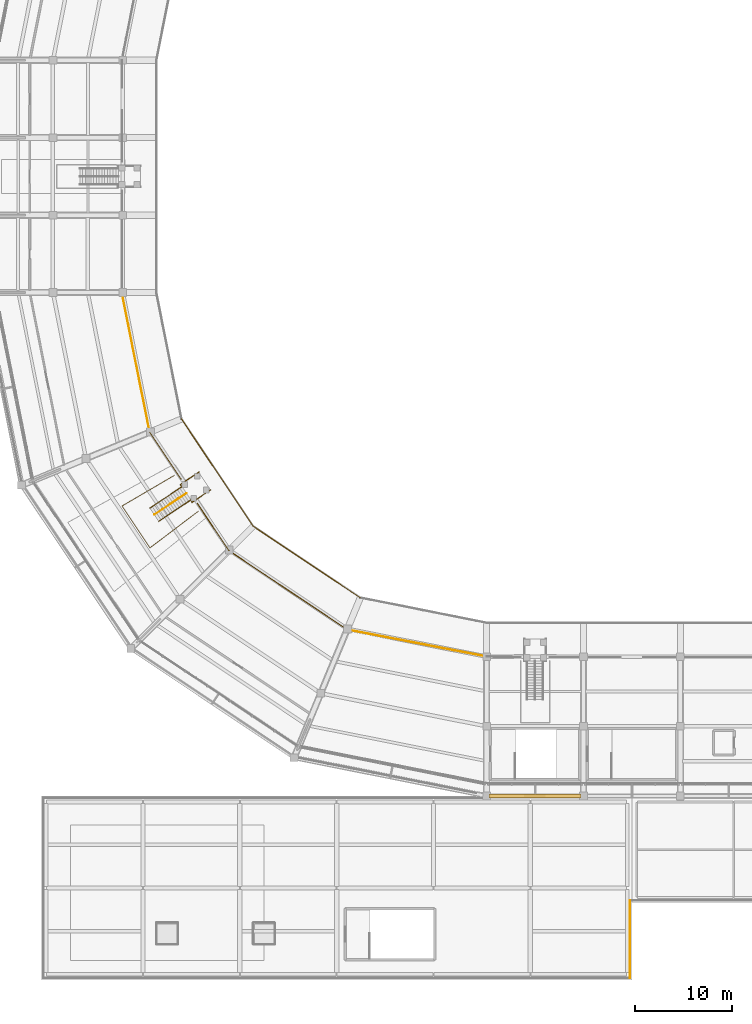
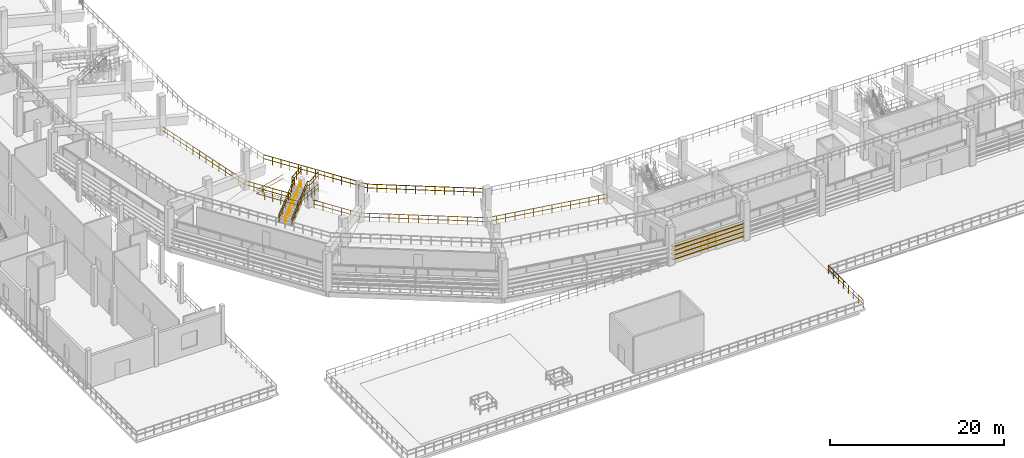
# One storey, part 78 of 96: 12 railings, 4 shading devices.
"""IFC4 building model written with IfcOpenShell, lengths in metres."""

from ifc_helpers import new_model, si_unit, direction, frame, origin, origin_2d, place, context, subcontext, project, spatial, rectangle, circle, extrude, material, layer, layer_set, type_object, element, save


model = new_model("IFC4")

# Units and contexts
model_context = context("Model", 3, precision=1e-05, world=origin(), true_north=direction((0.0, 1.0)))
body_context = subcontext(model_context, "Body", "Model", "MODEL_VIEW")
ifc_project = project(units=[si_unit("LENGTHUNIT", "METRE"), si_unit("AREAUNIT", "SQUARE_METRE"), si_unit("VOLUMEUNIT", "CUBIC_METRE"), si_unit("PLANEANGLEUNIT", "RADIAN"), si_unit("MASSUNIT", "GRAM", prefix="KILO")], contexts=[model_context])

# Site, building, storey
site_placement = place(None, origin())
site = spatial("IfcSite", under=ifc_project, at=site_placement, CompositionType="ELEMENT")
building_placement = place(site_placement, origin())
building = spatial("IfcBuilding", under=site, at=building_placement, Name="Candeia Ridge Stadium", CompositionType="ELEMENT")
storey_placement = place(building_placement, frame((0.0, 0.0, 21.60009765625)))
storey = spatial("IfcBuildingStorey", under=building, at=storey_placement, Name="L04", CompositionType="ELEMENT", Elevation=21.60009765625)

# Railings
ifc_material_1 = material(Name="Laminated Glass & Stainless Steel", Category="steel")
ifc_layer_1 = layer(ifc_material_1, 0.080078125, Name="Laminated Glass & Stainless Steel", Category="steel")
ifc_layer_set_1 = layer_set([ifc_layer_1], Name="Laminated Glass & Stainless Steel")
railing_type_1 = type_object("IfcRailingType", Name="Planted Terrace Glass-Steel Guard 1150", PredefinedType="BALUSTRADE", material=ifc_layer_set_1)
railing_1_placement = place(storey_placement, frame((85.800048828125, 0.199951171875, 0.0)))
element("IfcRailing", 1, at=railing_1_placement, inside=storey, type_object=railing_type_1, Name="Terrace perimeter balustrade GR-TER-202", PredefinedType="BALUSTRADE", context=body_context, shape_type="SweptSolid", body=[
    extrude(circle(Radius=0.02392578125, at=origin_2d()), frame((0.0, 0.0, 1.1259765625), z_axis=(0.0, 1.0, 0.0), x_axis=(-1.0, 0.0, 0.0)), (0.0, 0.0, 1.0), 8.0),
    extrude(circle(Radius=0.02392578125, at=origin_2d()), frame((0.0, 0.0, 0.574951171875), z_axis=(0.0, 1.0, 0.0), x_axis=(-1.0, 0.0, 0.0)), (0.0, 0.0, 1.0), 8.0),
    extrude(circle(Radius=0.02099609375, at=origin_2d()), origin(), (0.0, 0.0, 1.0), 1.101806640625),
    extrude(circle(Radius=0.02099609375, at=origin_2d()), frame((0.0, 1.142822265625, 0.0)), (0.0, 0.0, 1.0), 1.101806640625),
    extrude(circle(Radius=0.02099609375, at=origin_2d()), frame((0.0, 2.28564453125, 0.0)), (0.0, 0.0, 1.0), 1.101806640625),
    extrude(circle(Radius=0.02099609375, at=origin_2d()), frame((0.0, 3.428466796875, 0.0)), (0.0, 0.0, 1.0), 1.101806640625),
    extrude(circle(Radius=0.02099609375, at=origin_2d()), frame((0.0, 4.571533203125, 0.0)), (0.0, 0.0, 1.0), 1.101806640625),
    extrude(circle(Radius=0.02099609375, at=origin_2d()), frame((0.0, 5.71435546875, 0.0)), (0.0, 0.0, 1.0), 1.101806640625),
    extrude(circle(Radius=0.02099609375, at=origin_2d()), frame((0.0, 6.857177734375, 0.0)), (0.0, 0.0, 1.0), 1.101806640625),
    extrude(circle(Radius=0.02099609375, at=origin_2d()), frame((0.0, 8.0, 0.0)), (0.0, 0.0, 1.0), 1.101806640625),
])
ifc_material_2 = material(Name="Galvanized Powder-Coated Steel", Category="steel")
ifc_layer_2 = layer(ifc_material_2, 0.074951171875, Name="Galvanized Powder-Coated Steel", Category="steel")
ifc_layer_set_2 = layer_set([ifc_layer_2], Name="Galvanized Powder-Coated Steel")
railing_type_2 = type_object("IfcRailingType", Name="Spectator Bowl Front Guardrail 1120", PredefinedType="GUARDRAIL", material=ifc_layer_set_2)
railing_2_placement = place(storey_placement, frame((39.477294921875, 57.94287109375, 1.64990234375)))
element("IfcRailing", 2, at=railing_2_placement, inside=storey, type_object=railing_type_2, Name="Stand T3 front safety guardrail bay 16", PredefinedType="GUARDRAIL", context=body_context, shape_type="SweptSolid", body=[
    extrude(circle(Radius=0.02392578125, at=origin_2d()), frame((0.0, 0.0, 1.09619140625), z_axis=(0.555567450865, -0.831471471272, 0.0), x_axis=(0.831471471272, 0.555567450865, 0.0)), (0.0, 0.0, 1.0), 13.31298828125),
    extrude(circle(Radius=0.02392578125, at=origin_2d()), frame((0.0, 0.0, 0.56005859375), z_axis=(0.555567450865, -0.831471471272, 0.0), x_axis=(0.831471471272, 0.555567450865, 0.0)), (0.0, 0.0, 1.0), 13.31298828125),
    extrude(circle(Radius=0.02099609375, at=origin_2d()), origin(), (0.0, 0.0, 1.0), 1.072021484375),
    extrude(circle(Radius=0.02099609375, at=origin_2d()), frame((0.616455078125, -0.92236328125, 0.0)), (0.0, 0.0, 1.0), 1.072021484375),
    extrude(circle(Radius=0.02099609375, at=origin_2d()), frame((1.232666015625, -1.844970703125, 0.0)), (0.0, 0.0, 1.0), 1.072021484375),
    extrude(circle(Radius=0.02099609375, at=origin_2d()), frame((1.84912109375, -2.767333984375, 0.0)), (0.0, 0.0, 1.0), 1.072021484375),
    extrude(circle(Radius=0.02099609375, at=origin_2d()), frame((2.46533203125, -3.689697265625, 0.0)), (0.0, 0.0, 1.0), 1.072021484375),
    extrude(circle(Radius=0.02099609375, at=origin_2d()), frame((3.081787109375, -4.6123046875, 0.0)), (0.0, 0.0, 1.0), 1.072021484375),
    extrude(circle(Radius=0.02099609375, at=origin_2d()), frame((3.6982421875, -5.53466796875, 0.0)), (0.0, 0.0, 1.0), 1.072021484375),
    extrude(circle(Radius=0.02099609375, at=origin_2d()), frame((4.314453125, -6.45703125, 0.0)), (0.0, 0.0, 1.0), 1.072021484375),
    extrude(circle(Radius=0.02099609375, at=origin_2d()), frame((4.930908203125, -7.379638671875, 0.0)), (0.0, 0.0, 1.0), 1.072021484375),
    extrude(circle(Radius=0.02099609375, at=origin_2d()), frame((5.547119140625, -8.302001953125, 0.0)), (0.0, 0.0, 1.0), 1.072021484375),
    extrude(circle(Radius=0.02099609375, at=origin_2d()), frame((6.16357421875, -9.224365234375, 0.0)), (0.0, 0.0, 1.0), 1.072021484375),
    extrude(circle(Radius=0.02099609375, at=origin_2d()), frame((6.77978515625, -10.14697265625, 0.0)), (0.0, 0.0, 1.0), 1.072021484375),
    extrude(circle(Radius=0.02099609375, at=origin_2d()), frame((7.396240234375, -11.0693359375, 0.0)), (0.0, 0.0, 1.0), 1.072021484375),
])
railing_3_placement = place(storey_placement, frame((46.87353515625, 46.87353515625, 1.64990234375)))
element("IfcRailing", 3, at=railing_3_placement, inside=storey, type_object=railing_type_2, Name="Stand T3 front safety guardrail bay 17", PredefinedType="GUARDRAIL", context=body_context, shape_type="SweptSolid", body=[
    extrude(circle(Radius=0.02392578125, at=origin_2d()), frame((0.0, 0.0, 1.09619140625), z_axis=(0.831471471272, -0.555567450865, 0.0), x_axis=(0.555567450865, 0.831471471272, 0.0)), (0.0, 0.0, 1.0), 13.31298828125),
    extrude(circle(Radius=0.02392578125, at=origin_2d()), frame((0.0, 0.0, 0.56005859375), z_axis=(0.831471471272, -0.555567450865, 0.0), x_axis=(0.555567450865, 0.831471471272, 0.0)), (0.0, 0.0, 1.0), 13.31298828125),
    extrude(circle(Radius=0.02099609375, at=origin_2d()), origin(), (0.0, 0.0, 1.0), 1.072021484375),
    extrude(circle(Radius=0.02099609375, at=origin_2d()), frame((0.92236328125, -0.616455078125, 0.0)), (0.0, 0.0, 1.0), 1.072021484375),
    extrude(circle(Radius=0.02099609375, at=origin_2d()), frame((1.844970703125, -1.232666015625, 0.0)), (0.0, 0.0, 1.0), 1.072021484375),
    extrude(circle(Radius=0.02099609375, at=origin_2d()), frame((2.767333984375, -1.84912109375, 0.0)), (0.0, 0.0, 1.0), 1.072021484375),
    extrude(circle(Radius=0.02099609375, at=origin_2d()), frame((3.689697265625, -2.46533203125, 0.0)), (0.0, 0.0, 1.0), 1.072021484375),
    extrude(circle(Radius=0.02099609375, at=origin_2d()), frame((4.6123046875, -3.081787109375, 0.0)), (0.0, 0.0, 1.0), 1.072021484375),
    extrude(circle(Radius=0.02099609375, at=origin_2d()), frame((5.53466796875, -3.6982421875, 0.0)), (0.0, 0.0, 1.0), 1.072021484375),
    extrude(circle(Radius=0.02099609375, at=origin_2d()), frame((6.45703125, -4.314453125, 0.0)), (0.0, 0.0, 1.0), 1.072021484375),
    extrude(circle(Radius=0.02099609375, at=origin_2d()), frame((7.379638671875, -4.930908203125, 0.0)), (0.0, 0.0, 1.0), 1.072021484375),
    extrude(circle(Radius=0.02099609375, at=origin_2d()), frame((8.302001953125, -5.547119140625, 0.0)), (0.0, 0.0, 1.0), 1.072021484375),
    extrude(circle(Radius=0.02099609375, at=origin_2d()), frame((9.224365234375, -6.16357421875, 0.0)), (0.0, 0.0, 1.0), 1.072021484375),
    extrude(circle(Radius=0.02099609375, at=origin_2d()), frame((10.14697265625, -6.77978515625, 0.0)), (0.0, 0.0, 1.0), 1.072021484375),
    extrude(circle(Radius=0.02099609375, at=origin_2d()), frame((11.0693359375, -7.396240234375, 0.0)), (0.0, 0.0, 1.0), 1.072021484375),
])
railing_4_placement = place(storey_placement, frame((33.321533203125, 70.984375, 0.0)))
element("IfcRailing", 4, at=railing_4_placement, inside=storey, type_object=railing_type_2, Name="Deck edge safety guardrail GR-DE-L04-0243", PredefinedType="GUARDRAIL", context=body_context, shape_type="SweptSolid", body=[
    extrude(circle(Radius=0.02392578125, at=origin_2d()), frame((0.0, 0.0, 1.09619140625), z_axis=(0.19549334665, -0.98070502773, 0.0), x_axis=(0.98070502773, 0.19549334665, 0.0)), (0.0, 0.0, 1.0), 14.701416015625),
    extrude(circle(Radius=0.02392578125, at=origin_2d()), frame((0.0, 0.0, 0.56005859375), z_axis=(0.19549334665, -0.98070502773, 0.0), x_axis=(0.98070502773, 0.19549334665, 0.0)), (0.0, 0.0, 1.0), 14.701416015625),
    extrude(circle(Radius=0.02099609375, at=origin_2d()), origin(), (0.0, 0.0, 1.0), 1.072021484375),
    extrude(circle(Radius=0.02099609375, at=origin_2d()), frame((0.22119140625, -1.109130859375, 0.0)), (0.0, 0.0, 1.0), 1.072021484375),
    extrude(circle(Radius=0.02099609375, at=origin_2d()), frame((0.442138671875, -2.218017578125, 0.0)), (0.0, 0.0, 1.0), 1.072021484375),
    extrude(circle(Radius=0.02099609375, at=origin_2d()), frame((0.663330078125, -3.3271484375, 0.0)), (0.0, 0.0, 1.0), 1.072021484375),
    extrude(circle(Radius=0.02099609375, at=origin_2d()), frame((0.88427734375, -4.436279296875, 0.0)), (0.0, 0.0, 1.0), 1.072021484375),
    extrude(circle(Radius=0.02099609375, at=origin_2d()), frame((1.10546875, -5.545166015625, 0.0)), (0.0, 0.0, 1.0), 1.072021484375),
    extrude(circle(Radius=0.02099609375, at=origin_2d()), frame((1.326416015625, -6.654296875, 0.0)), (0.0, 0.0, 1.0), 1.072021484375),
    extrude(circle(Radius=0.02099609375, at=origin_2d()), frame((1.547607421875, -7.763427734375, 0.0)), (0.0, 0.0, 1.0), 1.072021484375),
    extrude(circle(Radius=0.02099609375, at=origin_2d()), frame((1.7685546875, -8.87255859375, 0.0)), (0.0, 0.0, 1.0), 1.072021484375),
    extrude(circle(Radius=0.02099609375, at=origin_2d()), frame((1.98974609375, -9.9814453125, 0.0)), (0.0, 0.0, 1.0), 1.072021484375),
    extrude(circle(Radius=0.02099609375, at=origin_2d()), frame((2.210693359375, -11.090576171875, 0.0)), (0.0, 0.0, 1.0), 1.072021484375),
    extrude(circle(Radius=0.02099609375, at=origin_2d()), frame((2.431884765625, -12.19970703125, 0.0)), (0.0, 0.0, 1.0), 1.072021484375),
    extrude(circle(Radius=0.02099609375, at=origin_2d()), frame((2.65283203125, -13.30859375, 0.0)), (0.0, 0.0, 1.0), 1.072021484375),
    extrude(circle(Radius=0.02099609375, at=origin_2d()), frame((2.8740234375, -14.417724609375, 0.0)), (0.0, 0.0, 1.0), 1.072021484375),
])
railing_5_placement = place(storey_placement, frame((36.195556640625, 56.566650390625, 0.0)))
element("IfcRailing", 5, at=railing_5_placement, inside=storey, type_object=railing_type_2, Name="Deck edge safety guardrail GR-DE-L04-0244", PredefinedType="GUARDRAIL", context=body_context, shape_type="SweptSolid", body=[
    extrude(circle(Radius=0.02392578125, at=origin_2d()), frame((0.0, 0.0, 1.09619140625), z_axis=(0.55557179728, -0.831468567095, 0.0), x_axis=(0.831468567095, 0.55557179728, 0.0)), (0.0, 0.0, 1.0), 5.815673828125),
    extrude(circle(Radius=0.02392578125, at=origin_2d()), frame((0.0, 0.0, 0.56005859375), z_axis=(0.55557179728, -0.831468567095, 0.0), x_axis=(0.831468567095, 0.55557179728, 0.0)), (0.0, 0.0, 1.0), 5.815673828125),
    extrude(circle(Radius=0.02099609375, at=origin_2d()), origin(), (0.0, 0.0, 1.0), 1.072021484375),
    extrude(circle(Radius=0.02099609375, at=origin_2d()), frame((0.646240234375, -0.967041015625, 0.0)), (0.0, 0.0, 1.0), 1.072021484375),
    extrude(circle(Radius=0.02099609375, at=origin_2d()), frame((1.29248046875, -1.93408203125, 0.0)), (0.0, 0.0, 1.0), 1.072021484375),
    extrude(circle(Radius=0.02099609375, at=origin_2d()), frame((1.9384765625, -2.9013671875, 0.0)), (0.0, 0.0, 1.0), 1.072021484375),
    extrude(circle(Radius=0.02099609375, at=origin_2d()), frame((2.584716796875, -3.868408203125, 0.0)), (0.0, 0.0, 1.0), 1.072021484375),
    extrude(circle(Radius=0.02099609375, at=origin_2d()), frame((3.23095703125, -4.83544921875, 0.0)), (0.0, 0.0, 1.0), 1.072021484375),
])
railing_6_placement = place(storey_placement, frame((41.115478515625, 49.20361328125, 0.0)))
element("IfcRailing", 6, at=railing_6_placement, inside=storey, type_object=railing_type_2, Name="Deck edge safety guardrail GR-DE-L04-0245", PredefinedType="GUARDRAIL", context=body_context, shape_type="SweptSolid", body=[
    extrude(circle(Radius=0.02392578125, at=origin_2d()), frame((0.0, 0.0, 1.09619140625), z_axis=(0.55643370999, -0.830892006452, 0.0), x_axis=(0.830892006452, 0.55643370999, 0.0)), (0.0, 0.0, 1.0), 5.845947265625),
    extrude(circle(Radius=0.02392578125, at=origin_2d()), frame((0.0, 0.0, 0.56005859375), z_axis=(0.55643370999, -0.830892006452, 0.0), x_axis=(0.830892006452, 0.55643370999, 0.0)), (0.0, 0.0, 1.0), 5.845947265625),
    extrude(circle(Radius=0.02099609375, at=origin_2d()), origin(), (0.0, 0.0, 1.0), 1.072021484375),
    extrude(circle(Radius=0.02099609375, at=origin_2d()), frame((0.650634765625, -0.971435546875, 0.0)), (0.0, 0.0, 1.0), 1.072021484375),
    extrude(circle(Radius=0.02099609375, at=origin_2d()), frame((1.30126953125, -1.94287109375, 0.0)), (0.0, 0.0, 1.0), 1.072021484375),
    extrude(circle(Radius=0.02099609375, at=origin_2d()), frame((1.95166015625, -2.91455078125, 0.0)), (0.0, 0.0, 1.0), 1.072021484375),
    extrude(circle(Radius=0.02099609375, at=origin_2d()), frame((2.602294921875, -3.885986328125, 0.0)), (0.0, 0.0, 1.0), 1.072021484375),
    extrude(circle(Radius=0.02099609375, at=origin_2d()), frame((3.2529296875, -4.857421875, 0.0)), (0.0, 0.0, 1.0), 1.072021484375),
])
railing_7_placement = place(storey_placement, frame((44.368408203125, 44.34619140625, 0.0)))
element("IfcRailing", 7, at=railing_7_placement, inside=storey, type_object=railing_type_2, Name="Deck edge safety guardrail GR-DE-L04-0246", PredefinedType="GUARDRAIL", context=body_context, shape_type="SweptSolid", body=[
    extrude(circle(Radius=0.02392578125, at=origin_2d()), frame((0.0, 0.0, 1.09619140625), z_axis=(0.831697552907, -0.55522894421, 0.0), x_axis=(0.55522894421, 0.831697552907, 0.0)), (0.0, 0.0, 1.0), 14.701416015625),
    extrude(circle(Radius=0.02392578125, at=origin_2d()), frame((0.0, 0.0, 0.56005859375), z_axis=(0.831697552907, -0.55522894421, 0.0), x_axis=(0.55522894421, 0.831697552907, 0.0)), (0.0, 0.0, 1.0), 14.701416015625),
    extrude(circle(Radius=0.02099609375, at=origin_2d()), origin(), (0.0, 0.0, 1.0), 1.072021484375),
    extrude(circle(Radius=0.02099609375, at=origin_2d()), frame((0.9404296875, -0.6279296875, 0.0)), (0.0, 0.0, 1.0), 1.072021484375),
    extrude(circle(Radius=0.02099609375, at=origin_2d()), frame((1.881103515625, -1.255859375, 0.0)), (0.0, 0.0, 1.0), 1.072021484375),
    extrude(circle(Radius=0.02099609375, at=origin_2d()), frame((2.821533203125, -1.8837890625, 0.0)), (0.0, 0.0, 1.0), 1.072021484375),
    extrude(circle(Radius=0.02099609375, at=origin_2d()), frame((3.76220703125, -2.511474609375, 0.0)), (0.0, 0.0, 1.0), 1.072021484375),
    extrude(circle(Radius=0.02099609375, at=origin_2d()), frame((4.70263671875, -3.139404296875, 0.0)), (0.0, 0.0, 1.0), 1.072021484375),
    extrude(circle(Radius=0.02099609375, at=origin_2d()), frame((5.643310546875, -3.767333984375, 0.0)), (0.0, 0.0, 1.0), 1.072021484375),
    extrude(circle(Radius=0.02099609375, at=origin_2d()), frame((6.583740234375, -4.395263671875, 0.0)), (0.0, 0.0, 1.0), 1.072021484375),
    extrude(circle(Radius=0.02099609375, at=origin_2d()), frame((7.5244140625, -5.023193359375, 0.0)), (0.0, 0.0, 1.0), 1.072021484375),
    extrude(circle(Radius=0.02099609375, at=origin_2d()), frame((8.46484375, -5.651123046875, 0.0)), (0.0, 0.0, 1.0), 1.072021484375),
    extrude(circle(Radius=0.02099609375, at=origin_2d()), frame((9.405517578125, -6.27880859375, 0.0)), (0.0, 0.0, 1.0), 1.072021484375),
    extrude(circle(Radius=0.02099609375, at=origin_2d()), frame((10.345947265625, -6.90673828125, 0.0)), (0.0, 0.0, 1.0), 1.072021484375),
    extrude(circle(Radius=0.02099609375, at=origin_2d()), frame((11.28662109375, -7.53466796875, 0.0)), (0.0, 0.0, 1.0), 1.072021484375),
    extrude(circle(Radius=0.02099609375, at=origin_2d()), frame((12.22705078125, -8.16259765625, 0.0)), (0.0, 0.0, 1.0), 1.072021484375),
])
railing_8_placement = place(storey_placement, frame((56.595458984375, 36.18359375, 0.0)))
element("IfcRailing", 8, at=railing_8_placement, inside=storey, type_object=railing_type_2, Name="Deck edge safety guardrail GR-DE-L04-0247", PredefinedType="GUARDRAIL", context=body_context, shape_type="SweptSolid", body=[
    extrude(circle(Radius=0.02392578125, at=origin_2d()), frame((0.0, 0.0, 1.09619140625), z_axis=(0.981834289828, -0.189740420885, 0.0), x_axis=(0.189740420885, 0.981834289828, 0.0)), (0.0, 0.0, 1.0), 14.671142578125),
    extrude(circle(Radius=0.02392578125, at=origin_2d()), frame((0.0, 0.0, 0.56005859375), z_axis=(0.981834289828, -0.189740420885, 0.0), x_axis=(0.189740420885, 0.981834289828, 0.0)), (0.0, 0.0, 1.0), 14.671142578125),
    extrude(circle(Radius=0.02099609375, at=origin_2d()), origin(), (0.0, 0.0, 1.0), 1.072021484375),
    extrude(circle(Radius=0.02099609375, at=origin_2d()), frame((1.108154296875, -0.214111328125, 0.0)), (0.0, 0.0, 1.0), 1.072021484375),
    extrude(circle(Radius=0.02099609375, at=origin_2d()), frame((2.216064453125, -0.42822265625, 0.0)), (0.0, 0.0, 1.0), 1.072021484375),
    extrude(circle(Radius=0.02099609375, at=origin_2d()), frame((3.32421875, -0.642333984375, 0.0)), (0.0, 0.0, 1.0), 1.072021484375),
    extrude(circle(Radius=0.02099609375, at=origin_2d()), frame((4.43212890625, -0.8564453125, 0.0)), (0.0, 0.0, 1.0), 1.072021484375),
    extrude(circle(Radius=0.02099609375, at=origin_2d()), frame((5.540283203125, -1.070556640625, 0.0)), (0.0, 0.0, 1.0), 1.072021484375),
    extrude(circle(Radius=0.02099609375, at=origin_2d()), frame((6.648193359375, -1.28466796875, 0.0)), (0.0, 0.0, 1.0), 1.072021484375),
    extrude(circle(Radius=0.02099609375, at=origin_2d()), frame((7.75634765625, -1.4990234375, 0.0)), (0.0, 0.0, 1.0), 1.072021484375),
    extrude(circle(Radius=0.02099609375, at=origin_2d()), frame((8.8642578125, -1.713134765625, 0.0)), (0.0, 0.0, 1.0), 1.072021484375),
    extrude(circle(Radius=0.02099609375, at=origin_2d()), frame((9.972412109375, -1.92724609375, 0.0)), (0.0, 0.0, 1.0), 1.072021484375),
    extrude(circle(Radius=0.02099609375, at=origin_2d()), frame((11.080322265625, -2.141357421875, 0.0)), (0.0, 0.0, 1.0), 1.072021484375),
    extrude(circle(Radius=0.02099609375, at=origin_2d()), frame((12.1884765625, -2.35546875, 0.0)), (0.0, 0.0, 1.0), 1.072021484375),
    extrude(circle(Radius=0.02099609375, at=origin_2d()), frame((13.29638671875, -2.569580078125, 0.0)), (0.0, 0.0, 1.0), 1.072021484375),
    extrude(circle(Radius=0.02099609375, at=origin_2d()), frame((14.404541015625, -2.78369140625, 0.0)), (0.0, 0.0, 1.0), 1.072021484375),
])
ifc_material_3 = material(Name="Brushed Stainless Steel", Category="steel")
ifc_layer_3 = layer(ifc_material_3, 0.048095703125, Name="Brushed Stainless Steel", Category="steel")
ifc_layer_set_3 = layer_set([ifc_layer_3], Name="Brushed Stainless Steel")
railing_type_3 = type_object("IfcRailingType", Name="Stair Wall & Flight Handrail 900", PredefinedType="HANDRAIL", material=ifc_layer_set_3)
railing_9_placement = place(storey_placement, frame((36.66748046875, 48.059814453125, 0.179443359375)))
element("IfcRailing", 9, at=railing_9_placement, inside=storey, type_object=railing_type_3, Name="Vomitory stair handrail VS30", PredefinedType="HANDRAIL", context=body_context, shape_type="SweptSolid", body=[
    extrude(circle(Radius=0.02392578125, at=origin_2d()), frame((0.0, 0.0, 0.8759765625), z_axis=(0.703445127651, 0.470033244468, 0.533135725195), x_axis=(-0.555575329819, 0.831466206708, 0.0)), (0.0, 0.0, 1.0), 4.71630859375),
    extrude(circle(Radius=0.02099609375, at=origin_2d()), origin(), (0.0, 0.0, 1.0), 0.851806640625),
    extrude(circle(Radius=0.02099609375, at=origin_2d()), frame((0.829345703125, 0.55419921875, 0.628662109375)), (0.0, 0.0, 1.0), 0.851806640625),
    extrude(circle(Radius=0.02099609375, at=origin_2d()), frame((1.65869140625, 1.1083984375, 1.25732421875)), (0.0, 0.0, 1.0), 0.851806640625),
    extrude(circle(Radius=0.02099609375, at=origin_2d()), frame((2.48828125, 1.66259765625, 1.8857421875)), (0.0, 0.0, 1.0), 0.851806640625),
    extrude(circle(Radius=0.02099609375, at=origin_2d()), frame((3.317626953125, 2.216796875, 2.514404296875)), (0.0, 0.0, 1.0), 0.851806640625),
])
ifc_layer_4 = layer(ifc_material_2, 0.070068359375, Name="Galvanized Powder-Coated Steel", Category="steel")
ifc_layer_set_4 = layer_set([ifc_layer_4], Name="Galvanized Powder-Coated Steel")
railing_type_4 = type_object("IfcRailingType", Name="Vomitory Portal Guardrail 1100", PredefinedType="GUARDRAIL", material=ifc_layer_set_4)
railing_10_placement = place(storey_placement, frame((38.74853515625, 52.127197265625, 2.69384765625)))
element("IfcRailing", 10, at=railing_10_placement, inside=storey, type_object=railing_type_4, Name="Vomitory portal guardrail VS30", PredefinedType="GUARDRAIL", context=body_context, shape_type="SweptSolid", body=[
    extrude(circle(Radius=0.02392578125, at=origin_2d()), frame((0.0, 0.0, 1.076171875), z_axis=(-0.834609876077, -0.488345575743, 0.254842997561), x_axis=(0.505020105464, -0.863107579087, 0.0)), (0.0, 0.0, 1.0), 6.486572265625),
    extrude(circle(Radius=0.02392578125, at=origin_2d()), frame((0.0, 0.0, 0.550048828125), z_axis=(-0.834609876077, -0.488345575743, 0.254842997561), x_axis=(0.505020105464, -0.863107579087, 0.0)), (0.0, 0.0, 1.0), 6.486572265625),
    extrude(circle(Radius=0.02392578125, at=origin_2d()), frame((-5.413818359375, -3.167724609375, 2.72900390625), z_axis=(0.555588439996, -0.831457446502, 0.0), x_axis=(0.831457446502, 0.555588439996, 0.0)), (0.0, 0.0, 1.0), 5.19921875),
    extrude(circle(Radius=0.02392578125, at=origin_2d()), frame((-5.413818359375, -3.167724609375, 2.203125), z_axis=(0.555588439996, -0.831457446502, 0.0), x_axis=(0.831457446502, 0.555588439996, 0.0)), (0.0, 0.0, 1.0), 5.19921875),
    extrude(circle(Radius=0.02392578125, at=origin_2d()), frame((-2.525146484375, -7.49072265625, 2.72900390625), z_axis=(0.77057067272, 0.584185386181, -0.25484951033), x_axis=(-0.604133432707, 0.796883175557, 0.0)), (0.0, 0.0, 1.0), 6.486572265625),
    extrude(circle(Radius=0.02392578125, at=origin_2d()), frame((-2.525146484375, -7.49072265625, 2.203125), z_axis=(0.77057067272, 0.584185386181, -0.25484951033), x_axis=(-0.604133432707, 0.796883175557, 0.0)), (0.0, 0.0, 1.0), 6.486572265625),
    extrude(circle(Radius=0.02099609375, at=origin_2d()), origin(), (0.0, 0.0, 1.0), 1.052001953125),
    extrude(circle(Radius=0.02099609375, at=origin_2d()), frame((-0.90234375, -0.52783203125, 0.275390625)), (0.0, 0.0, 1.0), 1.052001953125),
    extrude(circle(Radius=0.02099609375, at=origin_2d()), frame((-1.8046875, -1.055908203125, 0.551025390625)), (0.0, 0.0, 1.0), 1.052001953125),
    extrude(circle(Radius=0.02099609375, at=origin_2d()), frame((-2.70703125, -1.583984375, 0.82666015625)), (0.0, 0.0, 1.0), 1.052001953125),
    extrude(circle(Radius=0.02099609375, at=origin_2d()), frame((-3.609130859375, -2.11181640625, 1.10205078125)), (0.0, 0.0, 1.0), 1.052001953125),
    extrude(circle(Radius=0.02099609375, at=origin_2d()), frame((-4.511474609375, -2.6396484375, 1.37744140625)), (0.0, 0.0, 1.0), 1.052001953125),
    extrude(circle(Radius=0.02099609375, at=origin_2d()), frame((-5.413818359375, -3.167724609375, 1.653076171875)), (0.0, 0.0, 1.0), 1.052001953125),
    extrude(circle(Radius=0.02099609375, at=origin_2d()), frame((-4.836181640625, -4.0322265625, 1.653076171875)), (0.0, 0.0, 1.0), 1.052001953125),
    extrude(circle(Radius=0.02099609375, at=origin_2d()), frame((-4.25830078125, -4.89697265625, 1.653076171875)), (0.0, 0.0, 1.0), 1.052001953125),
    extrude(circle(Radius=0.02099609375, at=origin_2d()), frame((-3.6806640625, -5.761474609375, 1.653076171875)), (0.0, 0.0, 1.0), 1.052001953125),
    extrude(circle(Radius=0.02099609375, at=origin_2d()), frame((-3.102783203125, -6.626220703125, 1.653076171875)), (0.0, 0.0, 1.0), 1.052001953125),
    extrude(circle(Radius=0.02099609375, at=origin_2d()), frame((-2.525146484375, -7.49072265625, 1.653076171875)), (0.0, 0.0, 1.0), 1.052001953125),
    extrude(circle(Radius=0.02099609375, at=origin_2d()), frame((-1.692138671875, -6.859130859375, 1.37744140625)), (0.0, 0.0, 1.0), 1.052001953125),
    extrude(circle(Radius=0.02099609375, at=origin_2d()), frame((-0.859130859375, -6.2275390625, 1.10205078125)), (0.0, 0.0, 1.0), 1.052001953125),
    extrude(circle(Radius=0.02099609375, at=origin_2d()), frame((-0.02587890625, -5.59619140625, 0.82666015625)), (0.0, 0.0, 1.0), 1.052001953125),
    extrude(circle(Radius=0.02099609375, at=origin_2d()), frame((0.80712890625, -4.964599609375, 0.551025390625)), (0.0, 0.0, 1.0), 1.052001953125),
    extrude(circle(Radius=0.02099609375, at=origin_2d()), frame((1.64013671875, -4.3330078125, 0.275390625)), (0.0, 0.0, 1.0), 1.052001953125),
    extrude(circle(Radius=0.02099609375, at=origin_2d()), frame((2.47314453125, -3.701416015625, 0.0)), (0.0, 0.0, 1.0), 1.052001953125),
])
railing_11_placement = place(storey_placement, frame((36.2119140625, 48.74169921875, 0.0)))
element("IfcRailing", 11, at=railing_11_placement, inside=storey, type_object=railing_type_4, Name="Vomitory stair & landing side guardrail VS30-L", PredefinedType="GUARDRAIL", context=body_context, shape_type="SweptSolid", body=[
    extrude(circle(Radius=0.02392578125, at=origin_2d()), frame((0.0, 0.0, 1.076171875), z_axis=(0.689116787819, 0.46045922683, 0.559549241062), x_axis=(-0.555575329819, 0.831466206708, 0.0)), (0.0, 0.0, 1.0), 4.814208984375),
    extrude(circle(Radius=0.02392578125, at=origin_2d()), frame((0.0, 0.0, 0.550048828125), z_axis=(0.689116787819, 0.46045922683, 0.559549241062), x_axis=(-0.555575329819, 0.831466206708, 0.0)), (0.0, 0.0, 1.0), 4.814208984375),
    extrude(circle(Radius=0.02392578125, at=origin_2d()), frame((3.317626953125, 2.216796875, 3.77001953125), z_axis=(-0.667627565471, 0.744495422298, 0.0), x_axis=(-0.744495422298, -0.667627565471, 0.0)), (0.0, 0.0, 1.0), 0.28271484375),
    extrude(circle(Radius=0.02392578125, at=origin_2d()), frame((3.317626953125, 2.216796875, 3.243896484375), z_axis=(-0.667627565471, 0.744495422298, 0.0), x_axis=(-0.744495422298, -0.667627565471, 0.0)), (0.0, 0.0, 1.0), 0.28271484375),
    extrude(circle(Radius=0.02392578125, at=origin_2d()), frame((3.12890625, 2.42724609375, 3.77001953125), z_axis=(0.831434582705, 0.55562265494, 0.0), x_axis=(-0.55562265494, 0.831434582705, 0.0)), (0.0, 0.0, 1.0), 2.320068359375),
    extrude(circle(Radius=0.02392578125, at=origin_2d()), frame((3.12890625, 2.42724609375, 3.243896484375), z_axis=(0.831434582705, 0.55562265494, 0.0), x_axis=(-0.55562265494, 0.831434582705, 0.0)), (0.0, 0.0, 1.0), 2.320068359375),
    extrude(circle(Radius=0.02099609375, at=origin_2d()), origin(), (0.0, 0.0, 1.0), 1.052001953125),
    extrude(circle(Radius=0.02099609375, at=origin_2d()), frame((0.66357421875, 0.443359375, 0.538818359375)), (0.0, 0.0, 1.0), 1.052001953125),
    extrude(circle(Radius=0.02099609375, at=origin_2d()), frame((1.3271484375, 0.88671875, 1.07763671875)), (0.0, 0.0, 1.0), 1.052001953125),
    extrude(circle(Radius=0.02099609375, at=origin_2d()), frame((1.990478515625, 1.330078125, 1.6162109375)), (0.0, 0.0, 1.0), 1.052001953125),
    extrude(circle(Radius=0.02099609375, at=origin_2d()), frame((2.654052734375, 1.7734375, 2.155029296875)), (0.0, 0.0, 1.0), 1.052001953125),
    extrude(circle(Radius=0.02099609375, at=origin_2d()), frame((3.317626953125, 2.216796875, 2.69384765625)), (0.0, 0.0, 1.0), 1.052001953125),
    extrude(circle(Radius=0.02099609375, at=origin_2d()), frame((3.12890625, 2.42724609375, 2.69384765625)), (0.0, 0.0, 1.0), 1.052001953125),
    extrude(circle(Radius=0.02099609375, at=origin_2d()), frame((4.09326171875, 3.07177734375, 2.69384765625)), (0.0, 0.0, 1.0), 1.052001953125),
    extrude(circle(Radius=0.02099609375, at=origin_2d()), frame((5.057861328125, 3.71630859375, 2.69384765625)), (0.0, 0.0, 1.0), 1.052001953125),
])
railing_12_placement = place(storey_placement, frame((37.123291015625, 47.3779296875, 0.0)))
element("IfcRailing", 12, at=railing_12_placement, inside=storey, type_object=railing_type_4, Name="Vomitory stair & landing side guardrail VS30-R", PredefinedType="GUARDRAIL", context=body_context, shape_type="SweptSolid", body=[
    extrude(circle(Radius=0.02392578125, at=origin_2d()), frame((0.0, 0.0, 1.076171875), z_axis=(0.689090156968, 0.460475318315, 0.559568795406), x_axis=(-0.555603595654, 0.831447319135, 0.0)), (0.0, 0.0, 1.0), 4.814208984375),
    extrude(circle(Radius=0.02392578125, at=origin_2d()), frame((0.0, 0.0, 0.550048828125), z_axis=(0.689090156968, 0.460475318315, 0.559568795406), x_axis=(-0.555603595654, 0.831447319135, 0.0)), (0.0, 0.0, 1.0), 4.814208984375),
    extrude(circle(Radius=0.02392578125, at=origin_2d()), frame((3.3173828125, 2.216796875, 3.77001953125), z_axis=(0.432310233057, -0.901724937214, 0.0), x_axis=(0.901724937214, 0.432310233057, 0.0)), (0.0, 0.0, 1.0), 0.282958984375),
    extrude(circle(Radius=0.02392578125, at=origin_2d()), frame((3.3173828125, 2.216796875, 3.243896484375), z_axis=(0.432310233057, -0.901724937214, 0.0), x_axis=(0.901724937214, 0.432310233057, 0.0)), (0.0, 0.0, 1.0), 0.282958984375),
    extrude(circle(Radius=0.02392578125, at=origin_2d()), frame((3.439697265625, 1.961669921875, 3.77001953125), z_axis=(0.831434582705, 0.55562265494, 0.0), x_axis=(-0.55562265494, 0.831434582705, 0.0)), (0.0, 0.0, 1.0), 2.320068359375),
    extrude(circle(Radius=0.02392578125, at=origin_2d()), frame((3.439697265625, 1.961669921875, 3.243896484375), z_axis=(0.831434582705, 0.55562265494, 0.0), x_axis=(-0.55562265494, 0.831434582705, 0.0)), (0.0, 0.0, 1.0), 2.320068359375),
    extrude(circle(Radius=0.02099609375, at=origin_2d()), origin(), (0.0, 0.0, 1.0), 1.052001953125),
    extrude(circle(Radius=0.02099609375, at=origin_2d()), frame((0.66357421875, 0.443359375, 0.538818359375)), (0.0, 0.0, 1.0), 1.052001953125),
    extrude(circle(Radius=0.02099609375, at=origin_2d()), frame((1.326904296875, 0.88671875, 1.07763671875)), (0.0, 0.0, 1.0), 1.052001953125),
    extrude(circle(Radius=0.02099609375, at=origin_2d()), frame((1.990478515625, 1.330078125, 1.6162109375)), (0.0, 0.0, 1.0), 1.052001953125),
    extrude(circle(Radius=0.02099609375, at=origin_2d()), frame((2.65380859375, 1.7734375, 2.155029296875)), (0.0, 0.0, 1.0), 1.052001953125),
    extrude(circle(Radius=0.02099609375, at=origin_2d()), frame((3.3173828125, 2.216796875, 2.69384765625)), (0.0, 0.0, 1.0), 1.052001953125),
    extrude(circle(Radius=0.02099609375, at=origin_2d()), frame((3.439697265625, 1.961669921875, 2.69384765625)), (0.0, 0.0, 1.0), 1.052001953125),
    extrude(circle(Radius=0.02099609375, at=origin_2d()), frame((4.404296875, 2.606201171875, 2.69384765625)), (0.0, 0.0, 1.0), 1.052001953125),
    extrude(circle(Radius=0.02099609375, at=origin_2d()), frame((5.36865234375, 3.250732421875, 2.69384765625)), (0.0, 0.0, 1.0), 1.052001953125),
])

# Shading devices
ifc_material_4 = material(Name="Aluminium Anodized Warm Bronze", Category="aluminium")
shading_device_type = type_object("IfcShadingDeviceType", Name="Weathered Bronze Horizontal Solar Rib 440x95", PredefinedType="JALOUSIE", material=ifc_material_4)
for number, where, z_axis, x_axis, name in (
    (13, (76.0, 19.0, 0.5625), (0.0, 0.0, 1.0), (1.0, 0.0, 0.0), "Weathered bronze horizontal solar rib L04 bay 19-1"),
    (14, (76.0, 19.0, 1.17236328125), (0.0, 0.0, 1.0), (1.0, 0.0, 0.0), "Weathered bronze horizontal solar rib L04 bay 19-2"),
    (15, (76.0, 19.0, 1.7822265625), (0.0, 0.0, 1.0), (1.0, 0.0, 0.0), "Weathered bronze horizontal solar rib L04 bay 19-3"),
    (16, (76.0, 19.0, 2.33642578125), (0.0, 0.0, 1.0), (1.0, 0.0, 0.0), "Weathered bronze horizontal solar rib L04 bay 19-4"),
):
    element("IfcShadingDevice", number, at=place(storey_placement, frame(where, z_axis=z_axis, x_axis=x_axis)), inside=storey, type_object=shading_device_type, Name=name, PredefinedType="JALOUSIE", context=body_context, shape_type="SweptSolid", body=[
        extrude(rectangle(XDim=9.5, YDim=0.43994140625, at=origin_2d()), origin(), (0.0, 0.0, 1.0), 0.094970703125),
    ])

save(model, "model.ifc")
